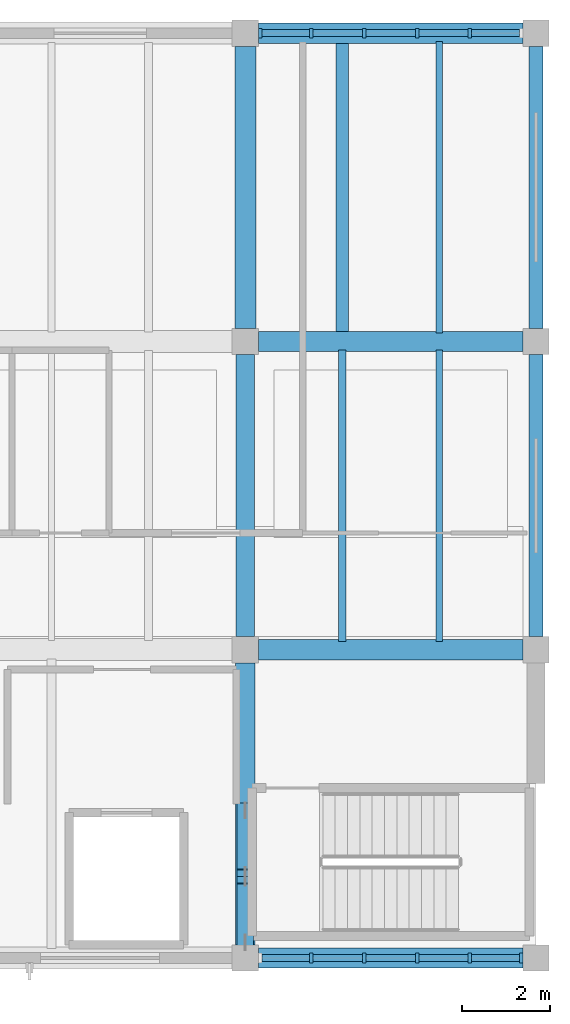
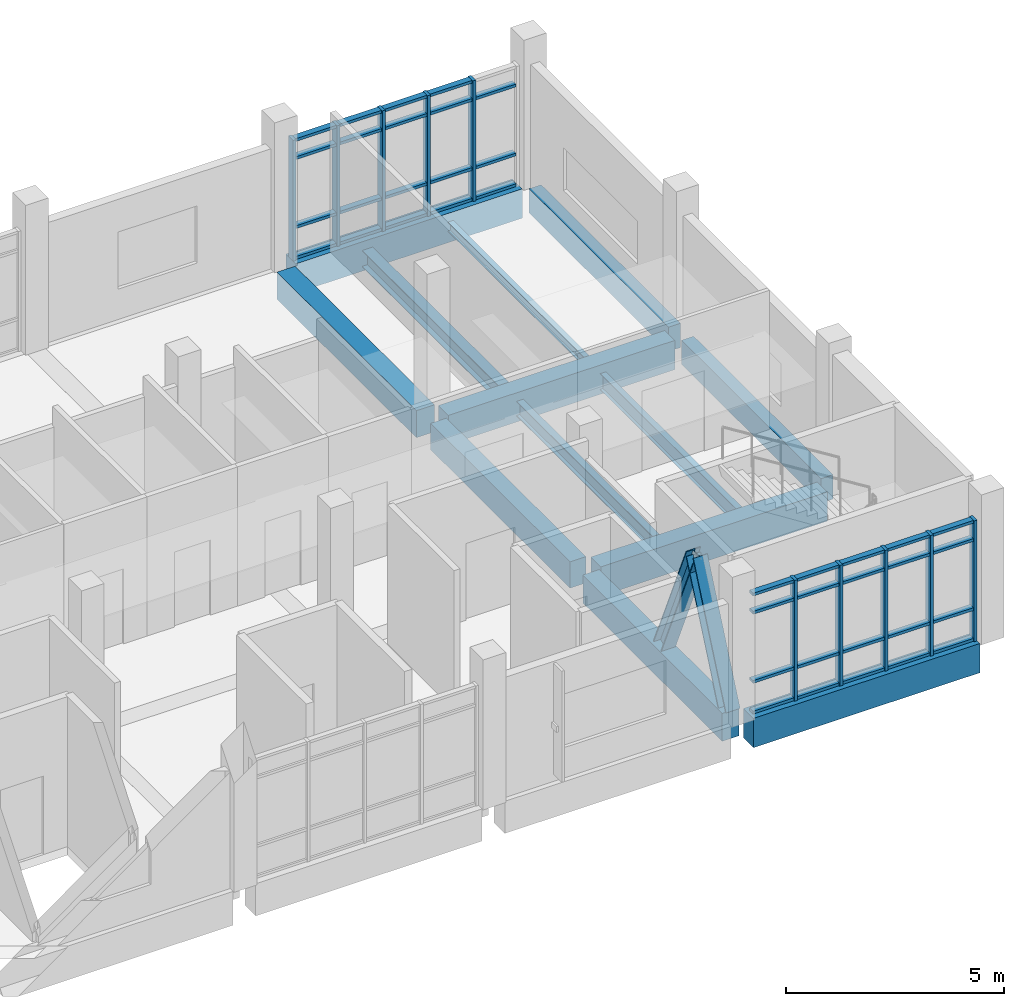
# One storey, part 5 of 14: 51 members, 13 beams, 2 elements without a shape of their own.
"""IFC4 building model written with IfcOpenShell, lengths in metres."""

from ifc_helpers import new_model, si_unit, direction, frame, origin, origin_2d, place, context, subcontext, project, spatial, rectangle, i_section, extrude, material, material_profile, profile_set, type_object, element, aggregate, save


model = new_model("IFC4")

# Units and contexts
model_context = context("Model", 3, precision=1e-05, world=origin(), true_north=direction((0.0, 1.0)))
body_context = subcontext(model_context, "Body", "Model", "MODEL_VIEW")
ifc_project = project(units=[si_unit("LENGTHUNIT", "METRE"), si_unit("AREAUNIT", "SQUARE_METRE"), si_unit("VOLUMEUNIT", "CUBIC_METRE"), si_unit("PLANEANGLEUNIT", "RADIAN"), si_unit("MASSUNIT", "GRAM", prefix="KILO")], contexts=[model_context])

# Site, building, storey
site_placement = place(None, origin())
site = spatial("IfcSite", under=ifc_project, at=site_placement, CompositionType="ELEMENT")
building_placement = place(site_placement, origin())
building = spatial("IfcBuilding", under=site, at=building_placement, Name="Ciguamira Faculty of Natural Sciences", CompositionType="ELEMENT")
storey_placement = place(building_placement, frame((0.0, 0.0, 33.60009765625)))
storey = spatial("IfcBuildingStorey", under=building, at=storey_placement, Name="L08", CompositionType="ELEMENT", Elevation=33.60009765625)

# Curtain wall, members
ifc_material_1 = material(Name="Anodized aluminium curtain wall", Category="aluminium")
curtain_wall_type_1 = type_object("IfcCurtainWallType", Name="CurtainWall_CW-12", PredefinedType="USERDEFINED", material=ifc_material_1)
curtain_wall_1_placement = place(storey_placement, origin())
curtain_wall_1 = element("IfcCurtainWall", 1, at=curtain_wall_1_placement, inside=storey, type_object=curtain_wall_type_1, Name="L08 unitised curtain wall 0156", ObjectType="UNITISED CURTAIN WALL", PredefinedType="USERDEFINED")
ifc_material_2 = material(Name="Anodized aluminium mullion", Category="aluminium")
ifc_material_profile_1 = material_profile(ifc_material_2, rectangle(XDim=0.080078125, YDim=0.219970703125, at=origin_2d()), Name="ALU-MUL-80X220")
ifc_profile_set_1 = profile_set([ifc_material_profile_1], Name="Anodized aluminium mullion")
member_type_1 = type_object("IfcMemberType", Name="CWMullion_CWM-03", PredefinedType="MULLION", material=ifc_profile_set_1)
member_1_placement = place(storey_placement, frame((98.39990234375, 94.0, 0.0), z_axis=(0.0, 0.0, 1.0), x_axis=(1.0, 0.0, 0.0)))
member_1 = element("IfcMember", 2, at=member_1_placement, type_object=member_type_1, Name="CW-12 mullion 2", PredefinedType="MULLION", context=body_context, shape_type="SweptSolid", body=[
    extrude(rectangle(XDim=0.080078125, YDim=0.219970703125, at=origin_2d()), origin(), (0.0, 0.0, 1.0), 3.385009765625),
])
member_2_placement = place(storey_placement, frame((99.60009765625, 94.0, 0.0), z_axis=(0.0, 0.0, 1.0), x_axis=(1.0, 0.0, 0.0)))
member_2 = element("IfcMember", 3, at=member_2_placement, type_object=member_type_1, Name="CW-12 mullion 3", PredefinedType="MULLION", context=body_context, shape_type="SweptSolid", body=[
    extrude(rectangle(XDim=0.080078125, YDim=0.219970703125, at=origin_2d()), origin(), (0.0, 0.0, 1.0), 3.385009765625),
])
member_3_placement = place(storey_placement, frame((100.800048828125, 94.0, 0.0), z_axis=(0.0, 0.0, 1.0), x_axis=(1.0, 0.0, 0.0)))
member_3 = element("IfcMember", 4, at=member_3_placement, type_object=member_type_1, Name="CW-12 mullion 4", PredefinedType="MULLION", context=body_context, shape_type="SweptSolid", body=[
    extrude(rectangle(XDim=0.080078125, YDim=0.219970703125, at=origin_2d()), origin(), (0.0, 0.0, 1.0), 3.385009765625),
])
member_4_placement = place(storey_placement, frame((102.0, 94.0, 0.0), z_axis=(0.0, 0.0, 1.0), x_axis=(1.0, 0.0, 0.0)))
member_4 = element("IfcMember", 5, at=member_4_placement, type_object=member_type_1, Name="CW-12 mullion 5", PredefinedType="MULLION", context=body_context, shape_type="SweptSolid", body=[
    extrude(rectangle(XDim=0.080078125, YDim=0.219970703125, at=origin_2d()), origin(), (0.0, 0.0, 1.0), 3.385009765625),
])
member_5_placement = place(storey_placement, frame((103.159912109375, 94.0, 0.0), z_axis=(0.0, 0.0, 1.0), x_axis=(1.0, 0.0, 0.0)))
member_5 = element("IfcMember", 6, at=member_5_placement, type_object=member_type_1, Name="CW-12 mullion 6", PredefinedType="MULLION", context=body_context, shape_type="SweptSolid", body=[
    extrude(rectangle(XDim=0.080078125, YDim=0.219970703125, at=origin_2d()), origin(), (0.0, 0.0, 1.0), 3.385009765625),
])

curtain_wall_type_2 = type_object("IfcCurtainWallType", Name="CurtainWall_CW-03", PredefinedType="USERDEFINED", material=ifc_material_1)
curtain_wall_2_placement = place(storey_placement, origin())
curtain_wall_2 = element("IfcCurtainWall", 7, at=curtain_wall_2_placement, inside=storey, type_object=curtain_wall_type_2, Name="L08 unitised curtain wall 0159", ObjectType="UNITISED CURTAIN WALL", PredefinedType="USERDEFINED")
member_6_placement = place(storey_placement, frame((97.239990234375, 115.0, 0.0), z_axis=(0.0, 0.0, 1.0), x_axis=(1.0, 0.0, 0.0)))
member_6 = element("IfcMember", 8, at=member_6_placement, type_object=member_type_1, Name="CW-03 mullion 1", PredefinedType="MULLION", context=body_context, shape_type="SweptSolid", body=[
    extrude(rectangle(XDim=0.080078125, YDim=0.219970703125, at=origin_2d()), origin(), (0.0, 0.0, 1.0), 3.385009765625),
])
member_7_placement = place(storey_placement, frame((98.39990234375, 115.0, 0.0), z_axis=(0.0, 0.0, 1.0), x_axis=(1.0, 0.0, 0.0)))
member_7 = element("IfcMember", 9, at=member_7_placement, type_object=member_type_1, Name="CW-03 mullion 2", PredefinedType="MULLION", context=body_context, shape_type="SweptSolid", body=[
    extrude(rectangle(XDim=0.080078125, YDim=0.219970703125, at=origin_2d()), origin(), (0.0, 0.0, 1.0), 3.385009765625),
])
member_8_placement = place(storey_placement, frame((99.60009765625, 115.0, 0.0), z_axis=(0.0, 0.0, 1.0), x_axis=(1.0, 0.0, 0.0)))
member_8 = element("IfcMember", 10, at=member_8_placement, type_object=member_type_1, Name="CW-03 mullion 3", PredefinedType="MULLION", context=body_context, shape_type="SweptSolid", body=[
    extrude(rectangle(XDim=0.080078125, YDim=0.219970703125, at=origin_2d()), origin(), (0.0, 0.0, 1.0), 3.385009765625),
])
member_9_placement = place(storey_placement, frame((100.800048828125, 115.0, 0.0), z_axis=(0.0, 0.0, 1.0), x_axis=(1.0, 0.0, 0.0)))
member_9 = element("IfcMember", 11, at=member_9_placement, type_object=member_type_1, Name="CW-03 mullion 4", PredefinedType="MULLION", context=body_context, shape_type="SweptSolid", body=[
    extrude(rectangle(XDim=0.080078125, YDim=0.219970703125, at=origin_2d()), origin(), (0.0, 0.0, 1.0), 3.385009765625),
])
member_10_placement = place(storey_placement, frame((102.0, 115.0, 0.0), z_axis=(0.0, 0.0, 1.0), x_axis=(1.0, 0.0, 0.0)))
member_10 = element("IfcMember", 12, at=member_10_placement, type_object=member_type_1, Name="CW-03 mullion 5", PredefinedType="MULLION", context=body_context, shape_type="SweptSolid", body=[
    extrude(rectangle(XDim=0.080078125, YDim=0.219970703125, at=origin_2d()), origin(), (0.0, 0.0, 1.0), 3.385009765625),
])

# Member
ifc_material_3 = material(Name="Anodized aluminium transom", Category="aluminium")
ifc_material_profile_2 = material_profile(ifc_material_3, rectangle(XDim=0.080078125, YDim=0.159912109375, at=origin_2d()), Name="ALU-TRN-80X160")
ifc_profile_set_2 = profile_set([ifc_material_profile_2], Name="Anodized aluminium transom")
member_type_2 = type_object("IfcMemberType", Name="CWTransom_CWT-03", PredefinedType="USERDEFINED", material=ifc_profile_set_2)
member_11_placement = place(storey_placement, frame((97.280029296875, 94.0, 0.039794921875), z_axis=(1.0, 0.0, 0.0), x_axis=(0.0, 0.0, 1.0)))
member_11 = element("IfcMember", 13, at=member_11_placement, type_object=member_type_2, Name="CW-12 transom 1.1", ObjectType="TRANSOM", PredefinedType="USERDEFINED", context=body_context, shape_type="SweptSolid", body=[
    extrude(rectangle(XDim=0.080078125, YDim=0.159912109375, at=origin_2d()), origin(), (0.0, 0.0, 1.0), 1.080078125),
])

member_12_placement = place(storey_placement, frame((97.280029296875, 94.0, 0.89990234375), z_axis=(1.0, 0.0, 0.0), x_axis=(0.0, 0.0, 1.0)))
member_12 = element("IfcMember", 14, at=member_12_placement, type_object=member_type_2, Name="CW-12 transom 1.2", ObjectType="TRANSOM", PredefinedType="USERDEFINED", context=body_context, shape_type="SweptSolid", body=[
    extrude(rectangle(XDim=0.080078125, YDim=0.159912109375, at=origin_2d()), origin(), (0.0, 0.0, 1.0), 1.080078125),
])

member_13_placement = place(storey_placement, frame((97.280029296875, 94.0, 2.8349609375), z_axis=(1.0, 0.0, 0.0), x_axis=(0.0, 0.0, 1.0)))
member_13 = element("IfcMember", 15, at=member_13_placement, type_object=member_type_2, Name="CW-12 transom 1.3", ObjectType="TRANSOM", PredefinedType="USERDEFINED", context=body_context, shape_type="SweptSolid", body=[
    extrude(rectangle(XDim=0.080078125, YDim=0.159912109375, at=origin_2d()), origin(), (0.0, 0.0, 1.0), 1.080078125),
])

member_14_placement = place(storey_placement, frame((97.280029296875, 94.0, 3.344970703125), z_axis=(1.0, 0.0, 0.0), x_axis=(0.0, 0.0, 1.0)))
member_14 = element("IfcMember", 16, at=member_14_placement, type_object=member_type_2, Name="CW-12 transom 1.4", ObjectType="TRANSOM", PredefinedType="USERDEFINED", context=body_context, shape_type="SweptSolid", body=[
    extrude(rectangle(XDim=0.080078125, YDim=0.159912109375, at=origin_2d()), origin(), (0.0, 0.0, 1.0), 1.080078125),
])

member_15_placement = place(storey_placement, frame((98.43994140625, 94.0, 0.039794921875), z_axis=(1.0, 0.0, 0.0), x_axis=(0.0, 0.0, 1.0)))
member_15 = element("IfcMember", 17, at=member_15_placement, type_object=member_type_2, Name="CW-12 transom 2.1", ObjectType="TRANSOM", PredefinedType="USERDEFINED", context=body_context, shape_type="SweptSolid", body=[
    extrude(rectangle(XDim=0.080078125, YDim=0.159912109375, at=origin_2d()), origin(), (0.0, 0.0, 1.0), 1.1201171875),
])

member_16_placement = place(storey_placement, frame((98.43994140625, 94.0, 0.89990234375), z_axis=(1.0, 0.0, 0.0), x_axis=(0.0, 0.0, 1.0)))
member_16 = element("IfcMember", 18, at=member_16_placement, type_object=member_type_2, Name="CW-12 transom 2.2", ObjectType="TRANSOM", PredefinedType="USERDEFINED", context=body_context, shape_type="SweptSolid", body=[
    extrude(rectangle(XDim=0.080078125, YDim=0.159912109375, at=origin_2d()), origin(), (0.0, 0.0, 1.0), 1.1201171875),
])

member_17_placement = place(storey_placement, frame((98.43994140625, 94.0, 2.8349609375), z_axis=(1.0, 0.0, 0.0), x_axis=(0.0, 0.0, 1.0)))
member_17 = element("IfcMember", 19, at=member_17_placement, type_object=member_type_2, Name="CW-12 transom 2.3", ObjectType="TRANSOM", PredefinedType="USERDEFINED", context=body_context, shape_type="SweptSolid", body=[
    extrude(rectangle(XDim=0.080078125, YDim=0.159912109375, at=origin_2d()), origin(), (0.0, 0.0, 1.0), 1.1201171875),
])

member_18_placement = place(storey_placement, frame((98.43994140625, 94.0, 3.344970703125), z_axis=(1.0, 0.0, 0.0), x_axis=(0.0, 0.0, 1.0)))
member_18 = element("IfcMember", 20, at=member_18_placement, type_object=member_type_2, Name="CW-12 transom 2.4", ObjectType="TRANSOM", PredefinedType="USERDEFINED", context=body_context, shape_type="SweptSolid", body=[
    extrude(rectangle(XDim=0.080078125, YDim=0.159912109375, at=origin_2d()), origin(), (0.0, 0.0, 1.0), 1.1201171875),
])

member_19_placement = place(storey_placement, frame((99.639892578125, 94.0, 0.039794921875), z_axis=(1.0, 0.0, 0.0), x_axis=(0.0, 0.0, 1.0)))
member_19 = element("IfcMember", 21, at=member_19_placement, type_object=member_type_2, Name="CW-12 transom 3.1", ObjectType="TRANSOM", PredefinedType="USERDEFINED", context=body_context, shape_type="SweptSolid", body=[
    extrude(rectangle(XDim=0.080078125, YDim=0.159912109375, at=origin_2d()), origin(), (0.0, 0.0, 1.0), 1.1201171875),
])

member_20_placement = place(storey_placement, frame((99.639892578125, 94.0, 0.89990234375), z_axis=(1.0, 0.0, 0.0), x_axis=(0.0, 0.0, 1.0)))
member_20 = element("IfcMember", 22, at=member_20_placement, type_object=member_type_2, Name="CW-12 transom 3.2", ObjectType="TRANSOM", PredefinedType="USERDEFINED", context=body_context, shape_type="SweptSolid", body=[
    extrude(rectangle(XDim=0.080078125, YDim=0.159912109375, at=origin_2d()), origin(), (0.0, 0.0, 1.0), 1.1201171875),
])

member_21_placement = place(storey_placement, frame((99.639892578125, 94.0, 2.8349609375), z_axis=(1.0, 0.0, 0.0), x_axis=(0.0, 0.0, 1.0)))
member_21 = element("IfcMember", 23, at=member_21_placement, type_object=member_type_2, Name="CW-12 transom 3.3", ObjectType="TRANSOM", PredefinedType="USERDEFINED", context=body_context, shape_type="SweptSolid", body=[
    extrude(rectangle(XDim=0.080078125, YDim=0.159912109375, at=origin_2d()), origin(), (0.0, 0.0, 1.0), 1.1201171875),
])

member_22_placement = place(storey_placement, frame((99.639892578125, 94.0, 3.344970703125), z_axis=(1.0, 0.0, 0.0), x_axis=(0.0, 0.0, 1.0)))
member_22 = element("IfcMember", 24, at=member_22_placement, type_object=member_type_2, Name="CW-12 transom 3.4", ObjectType="TRANSOM", PredefinedType="USERDEFINED", context=body_context, shape_type="SweptSolid", body=[
    extrude(rectangle(XDim=0.080078125, YDim=0.159912109375, at=origin_2d()), origin(), (0.0, 0.0, 1.0), 1.1201171875),
])

member_23_placement = place(storey_placement, frame((100.840087890625, 94.0, 0.039794921875), z_axis=(1.0, 0.0, 0.0), x_axis=(0.0, 0.0, 1.0)))
member_23 = element("IfcMember", 25, at=member_23_placement, type_object=member_type_2, Name="CW-12 transom 4.1", ObjectType="TRANSOM", PredefinedType="USERDEFINED", context=body_context, shape_type="SweptSolid", body=[
    extrude(rectangle(XDim=0.080078125, YDim=0.159912109375, at=origin_2d()), origin(), (0.0, 0.0, 1.0), 1.119873046875),
])

member_24_placement = place(storey_placement, frame((100.840087890625, 94.0, 0.89990234375), z_axis=(1.0, 0.0, 0.0), x_axis=(0.0, 0.0, 1.0)))
member_24 = element("IfcMember", 26, at=member_24_placement, type_object=member_type_2, Name="CW-12 transom 4.2", ObjectType="TRANSOM", PredefinedType="USERDEFINED", context=body_context, shape_type="SweptSolid", body=[
    extrude(rectangle(XDim=0.080078125, YDim=0.159912109375, at=origin_2d()), origin(), (0.0, 0.0, 1.0), 1.119873046875),
])

member_25_placement = place(storey_placement, frame((100.840087890625, 94.0, 2.8349609375), z_axis=(1.0, 0.0, 0.0), x_axis=(0.0, 0.0, 1.0)))
member_25 = element("IfcMember", 27, at=member_25_placement, type_object=member_type_2, Name="CW-12 transom 4.3", ObjectType="TRANSOM", PredefinedType="USERDEFINED", context=body_context, shape_type="SweptSolid", body=[
    extrude(rectangle(XDim=0.080078125, YDim=0.159912109375, at=origin_2d()), origin(), (0.0, 0.0, 1.0), 1.119873046875),
])

member_26_placement = place(storey_placement, frame((100.840087890625, 94.0, 3.344970703125), z_axis=(1.0, 0.0, 0.0), x_axis=(0.0, 0.0, 1.0)))
member_26 = element("IfcMember", 28, at=member_26_placement, type_object=member_type_2, Name="CW-12 transom 4.4", ObjectType="TRANSOM", PredefinedType="USERDEFINED", context=body_context, shape_type="SweptSolid", body=[
    extrude(rectangle(XDim=0.080078125, YDim=0.159912109375, at=origin_2d()), origin(), (0.0, 0.0, 1.0), 1.119873046875),
])

member_27_placement = place(storey_placement, frame((102.0400390625, 94.0, 0.039794921875), z_axis=(1.0, 0.0, 0.0), x_axis=(0.0, 0.0, 1.0)))
member_27 = element("IfcMember", 29, at=member_27_placement, type_object=member_type_2, Name="CW-12 transom 5.1", ObjectType="TRANSOM", PredefinedType="USERDEFINED", context=body_context, shape_type="SweptSolid", body=[
    extrude(rectangle(XDim=0.080078125, YDim=0.159912109375, at=origin_2d()), origin(), (0.0, 0.0, 1.0), 1.080078125),
])

member_28_placement = place(storey_placement, frame((102.0400390625, 94.0, 0.89990234375), z_axis=(1.0, 0.0, 0.0), x_axis=(0.0, 0.0, 1.0)))
member_28 = element("IfcMember", 30, at=member_28_placement, type_object=member_type_2, Name="CW-12 transom 5.2", ObjectType="TRANSOM", PredefinedType="USERDEFINED", context=body_context, shape_type="SweptSolid", body=[
    extrude(rectangle(XDim=0.080078125, YDim=0.159912109375, at=origin_2d()), origin(), (0.0, 0.0, 1.0), 1.080078125),
])

member_29_placement = place(storey_placement, frame((102.0400390625, 94.0, 2.8349609375), z_axis=(1.0, 0.0, 0.0), x_axis=(0.0, 0.0, 1.0)))
member_29 = element("IfcMember", 31, at=member_29_placement, type_object=member_type_2, Name="CW-12 transom 5.3", ObjectType="TRANSOM", PredefinedType="USERDEFINED", context=body_context, shape_type="SweptSolid", body=[
    extrude(rectangle(XDim=0.080078125, YDim=0.159912109375, at=origin_2d()), origin(), (0.0, 0.0, 1.0), 1.080078125),
])

member_30_placement = place(storey_placement, frame((102.0400390625, 94.0, 3.344970703125), z_axis=(1.0, 0.0, 0.0), x_axis=(0.0, 0.0, 1.0)))
member_30 = element("IfcMember", 32, at=member_30_placement, type_object=member_type_2, Name="CW-12 transom 5.4", ObjectType="TRANSOM", PredefinedType="USERDEFINED", context=body_context, shape_type="SweptSolid", body=[
    extrude(rectangle(XDim=0.080078125, YDim=0.159912109375, at=origin_2d()), origin(), (0.0, 0.0, 1.0), 1.080078125),
])

aggregate(curtain_wall_1, [member_1, member_2, member_3, member_4, member_5, member_11, member_12, member_13, member_14, member_15, member_16, member_17, member_18, member_19, member_20, member_21, member_22, member_23, member_24, member_25, member_26, member_27, member_28, member_29, member_30])

member_31_placement = place(storey_placement, frame((97.280029296875, 115.0, 0.039794921875), z_axis=(1.0, 0.0, 0.0), x_axis=(0.0, 0.0, 1.0)))
member_31 = element("IfcMember", 33, at=member_31_placement, type_object=member_type_2, Name="CW-03 transom 1.1", ObjectType="TRANSOM", PredefinedType="USERDEFINED", context=body_context, shape_type="SweptSolid", body=[
    extrude(rectangle(XDim=0.080078125, YDim=0.159912109375, at=origin_2d()), origin(), (0.0, 0.0, 1.0), 1.080078125),
])

member_32_placement = place(storey_placement, frame((97.280029296875, 115.0, 0.89990234375), z_axis=(1.0, 0.0, 0.0), x_axis=(0.0, 0.0, 1.0)))
member_32 = element("IfcMember", 34, at=member_32_placement, type_object=member_type_2, Name="CW-03 transom 1.2", ObjectType="TRANSOM", PredefinedType="USERDEFINED", context=body_context, shape_type="SweptSolid", body=[
    extrude(rectangle(XDim=0.080078125, YDim=0.159912109375, at=origin_2d()), origin(), (0.0, 0.0, 1.0), 1.080078125),
])

member_33_placement = place(storey_placement, frame((97.280029296875, 115.0, 2.8349609375), z_axis=(1.0, 0.0, 0.0), x_axis=(0.0, 0.0, 1.0)))
member_33 = element("IfcMember", 35, at=member_33_placement, type_object=member_type_2, Name="CW-03 transom 1.3", ObjectType="TRANSOM", PredefinedType="USERDEFINED", context=body_context, shape_type="SweptSolid", body=[
    extrude(rectangle(XDim=0.080078125, YDim=0.159912109375, at=origin_2d()), origin(), (0.0, 0.0, 1.0), 1.080078125),
])

member_34_placement = place(storey_placement, frame((97.280029296875, 115.0, 3.344970703125), z_axis=(1.0, 0.0, 0.0), x_axis=(0.0, 0.0, 1.0)))
member_34 = element("IfcMember", 36, at=member_34_placement, type_object=member_type_2, Name="CW-03 transom 1.4", ObjectType="TRANSOM", PredefinedType="USERDEFINED", context=body_context, shape_type="SweptSolid", body=[
    extrude(rectangle(XDim=0.080078125, YDim=0.159912109375, at=origin_2d()), origin(), (0.0, 0.0, 1.0), 1.080078125),
])

member_35_placement = place(storey_placement, frame((98.43994140625, 115.0, 0.039794921875), z_axis=(1.0, 0.0, 0.0), x_axis=(0.0, 0.0, 1.0)))
member_35 = element("IfcMember", 37, at=member_35_placement, type_object=member_type_2, Name="CW-03 transom 2.1", ObjectType="TRANSOM", PredefinedType="USERDEFINED", context=body_context, shape_type="SweptSolid", body=[
    extrude(rectangle(XDim=0.080078125, YDim=0.159912109375, at=origin_2d()), origin(), (0.0, 0.0, 1.0), 1.1201171875),
])

member_36_placement = place(storey_placement, frame((98.43994140625, 115.0, 0.89990234375), z_axis=(1.0, 0.0, 0.0), x_axis=(0.0, 0.0, 1.0)))
member_36 = element("IfcMember", 38, at=member_36_placement, type_object=member_type_2, Name="CW-03 transom 2.2", ObjectType="TRANSOM", PredefinedType="USERDEFINED", context=body_context, shape_type="SweptSolid", body=[
    extrude(rectangle(XDim=0.080078125, YDim=0.159912109375, at=origin_2d()), origin(), (0.0, 0.0, 1.0), 1.1201171875),
])

member_37_placement = place(storey_placement, frame((98.43994140625, 115.0, 2.8349609375), z_axis=(1.0, 0.0, 0.0), x_axis=(0.0, 0.0, 1.0)))
member_37 = element("IfcMember", 39, at=member_37_placement, type_object=member_type_2, Name="CW-03 transom 2.3", ObjectType="TRANSOM", PredefinedType="USERDEFINED", context=body_context, shape_type="SweptSolid", body=[
    extrude(rectangle(XDim=0.080078125, YDim=0.159912109375, at=origin_2d()), origin(), (0.0, 0.0, 1.0), 1.1201171875),
])

member_38_placement = place(storey_placement, frame((98.43994140625, 115.0, 3.344970703125), z_axis=(1.0, 0.0, 0.0), x_axis=(0.0, 0.0, 1.0)))
member_38 = element("IfcMember", 40, at=member_38_placement, type_object=member_type_2, Name="CW-03 transom 2.4", ObjectType="TRANSOM", PredefinedType="USERDEFINED", context=body_context, shape_type="SweptSolid", body=[
    extrude(rectangle(XDim=0.080078125, YDim=0.159912109375, at=origin_2d()), origin(), (0.0, 0.0, 1.0), 1.1201171875),
])

member_39_placement = place(storey_placement, frame((99.639892578125, 115.0, 0.039794921875), z_axis=(1.0, 0.0, 0.0), x_axis=(0.0, 0.0, 1.0)))
member_39 = element("IfcMember", 41, at=member_39_placement, type_object=member_type_2, Name="CW-03 transom 3.1", ObjectType="TRANSOM", PredefinedType="USERDEFINED", context=body_context, shape_type="SweptSolid", body=[
    extrude(rectangle(XDim=0.080078125, YDim=0.159912109375, at=origin_2d()), origin(), (0.0, 0.0, 1.0), 1.1201171875),
])

member_40_placement = place(storey_placement, frame((99.639892578125, 115.0, 0.89990234375), z_axis=(1.0, 0.0, 0.0), x_axis=(0.0, 0.0, 1.0)))
member_40 = element("IfcMember", 42, at=member_40_placement, type_object=member_type_2, Name="CW-03 transom 3.2", ObjectType="TRANSOM", PredefinedType="USERDEFINED", context=body_context, shape_type="SweptSolid", body=[
    extrude(rectangle(XDim=0.080078125, YDim=0.159912109375, at=origin_2d()), origin(), (0.0, 0.0, 1.0), 1.1201171875),
])

member_41_placement = place(storey_placement, frame((99.639892578125, 115.0, 2.8349609375), z_axis=(1.0, 0.0, 0.0), x_axis=(0.0, 0.0, 1.0)))
member_41 = element("IfcMember", 43, at=member_41_placement, type_object=member_type_2, Name="CW-03 transom 3.3", ObjectType="TRANSOM", PredefinedType="USERDEFINED", context=body_context, shape_type="SweptSolid", body=[
    extrude(rectangle(XDim=0.080078125, YDim=0.159912109375, at=origin_2d()), origin(), (0.0, 0.0, 1.0), 1.1201171875),
])

member_42_placement = place(storey_placement, frame((99.639892578125, 115.0, 3.344970703125), z_axis=(1.0, 0.0, 0.0), x_axis=(0.0, 0.0, 1.0)))
member_42 = element("IfcMember", 44, at=member_42_placement, type_object=member_type_2, Name="CW-03 transom 3.4", ObjectType="TRANSOM", PredefinedType="USERDEFINED", context=body_context, shape_type="SweptSolid", body=[
    extrude(rectangle(XDim=0.080078125, YDim=0.159912109375, at=origin_2d()), origin(), (0.0, 0.0, 1.0), 1.1201171875),
])

member_43_placement = place(storey_placement, frame((100.840087890625, 115.0, 0.039794921875), z_axis=(1.0, 0.0, 0.0), x_axis=(0.0, 0.0, 1.0)))
member_43 = element("IfcMember", 45, at=member_43_placement, type_object=member_type_2, Name="CW-03 transom 4.1", ObjectType="TRANSOM", PredefinedType="USERDEFINED", context=body_context, shape_type="SweptSolid", body=[
    extrude(rectangle(XDim=0.080078125, YDim=0.159912109375, at=origin_2d()), origin(), (0.0, 0.0, 1.0), 1.119873046875),
])

member_44_placement = place(storey_placement, frame((100.840087890625, 115.0, 0.89990234375), z_axis=(1.0, 0.0, 0.0), x_axis=(0.0, 0.0, 1.0)))
member_44 = element("IfcMember", 46, at=member_44_placement, type_object=member_type_2, Name="CW-03 transom 4.2", ObjectType="TRANSOM", PredefinedType="USERDEFINED", context=body_context, shape_type="SweptSolid", body=[
    extrude(rectangle(XDim=0.080078125, YDim=0.159912109375, at=origin_2d()), origin(), (0.0, 0.0, 1.0), 1.119873046875),
])

member_45_placement = place(storey_placement, frame((100.840087890625, 115.0, 2.8349609375), z_axis=(1.0, 0.0, 0.0), x_axis=(0.0, 0.0, 1.0)))
member_45 = element("IfcMember", 47, at=member_45_placement, type_object=member_type_2, Name="CW-03 transom 4.3", ObjectType="TRANSOM", PredefinedType="USERDEFINED", context=body_context, shape_type="SweptSolid", body=[
    extrude(rectangle(XDim=0.080078125, YDim=0.159912109375, at=origin_2d()), origin(), (0.0, 0.0, 1.0), 1.119873046875),
])

member_46_placement = place(storey_placement, frame((100.840087890625, 115.0, 3.344970703125), z_axis=(1.0, 0.0, 0.0), x_axis=(0.0, 0.0, 1.0)))
member_46 = element("IfcMember", 48, at=member_46_placement, type_object=member_type_2, Name="CW-03 transom 4.4", ObjectType="TRANSOM", PredefinedType="USERDEFINED", context=body_context, shape_type="SweptSolid", body=[
    extrude(rectangle(XDim=0.080078125, YDim=0.159912109375, at=origin_2d()), origin(), (0.0, 0.0, 1.0), 1.119873046875),
])

member_47_placement = place(storey_placement, frame((102.0400390625, 115.0, 0.039794921875), z_axis=(1.0, 0.0, 0.0), x_axis=(0.0, 0.0, 1.0)))
member_47 = element("IfcMember", 49, at=member_47_placement, type_object=member_type_2, Name="CW-03 transom 5.1", ObjectType="TRANSOM", PredefinedType="USERDEFINED", context=body_context, shape_type="SweptSolid", body=[
    extrude(rectangle(XDim=0.080078125, YDim=0.159912109375, at=origin_2d()), origin(), (0.0, 0.0, 1.0), 1.080078125),
])

member_48_placement = place(storey_placement, frame((102.0400390625, 115.0, 0.89990234375), z_axis=(1.0, 0.0, 0.0), x_axis=(0.0, 0.0, 1.0)))
member_48 = element("IfcMember", 50, at=member_48_placement, type_object=member_type_2, Name="CW-03 transom 5.2", ObjectType="TRANSOM", PredefinedType="USERDEFINED", context=body_context, shape_type="SweptSolid", body=[
    extrude(rectangle(XDim=0.080078125, YDim=0.159912109375, at=origin_2d()), origin(), (0.0, 0.0, 1.0), 1.080078125),
])

member_49_placement = place(storey_placement, frame((102.0400390625, 115.0, 2.8349609375), z_axis=(1.0, 0.0, 0.0), x_axis=(0.0, 0.0, 1.0)))
member_49 = element("IfcMember", 51, at=member_49_placement, type_object=member_type_2, Name="CW-03 transom 5.3", ObjectType="TRANSOM", PredefinedType="USERDEFINED", context=body_context, shape_type="SweptSolid", body=[
    extrude(rectangle(XDim=0.080078125, YDim=0.159912109375, at=origin_2d()), origin(), (0.0, 0.0, 1.0), 1.080078125),
])

aggregate(curtain_wall_2, [member_6, member_7, member_8, member_9, member_10, member_31, member_32, member_33, member_34, member_35, member_36, member_37, member_38, member_39, member_40, member_41, member_42, member_43, member_44, member_45, member_46, member_47, member_48, member_49])

# Beams
ifc_material_4 = material(Name="Concrete C40/50", Category="concrete")
ifc_material_profile_3 = material_profile(ifc_material_4, rectangle(XDim=0.4599609375, YDim=0.820068359375, at=origin_2d()), Name="RC-BM-460X820")
ifc_profile_set_3 = profile_set([ifc_material_profile_3], Name="Concrete C40/50")
beam_type_1 = type_object("IfcBeamType", Name="RCBeam_BG-04_RC-BM-460X820", PredefinedType="BEAM", material=ifc_profile_set_3)
for number, where, z_axis, x_axis, name in (
    (52, (97.199951171875, 94.0, -0.41015625), (1.0, 0.0, 0.0), (0.0, 1.0, 0.0), "L08 RC girder EW-1597"),
    (53, (97.199951171875, 101.0, -0.41015625), (1.0, 0.0, 0.0), (0.0, 1.0, 0.0), "L08 RC girder EW-1603"),
    (54, (97.199951171875, 108.0, -0.41015625), (1.0, 0.0, 0.0), (0.0, 1.0, 0.0), "L08 RC girder EW-1609"),
    (55, (97.199951171875, 115.0, -0.41015625), (1.0, 0.0, 0.0), (0.0, 1.0, 0.0), "L08 RC girder EW-1615"),
):
    element("IfcBeam", number, at=place(storey_placement, frame(where, z_axis=z_axis, x_axis=x_axis)), inside=storey, type_object=beam_type_1, Name=name, PredefinedType="BEAM", context=body_context, shape_type="SweptSolid", body=[
        extrude(rectangle(XDim=0.4599609375, YDim=0.820068359375, at=origin_2d()), origin(), (0.0, 0.0, 1.0), 6.0),
    ])
ifc_material_profile_4 = material_profile(ifc_material_4, rectangle(XDim=0.43994140625, YDim=0.780029296875, at=origin_2d()), Name="RC-BM-440X780")
ifc_profile_set_4 = profile_set([ifc_material_profile_4], Name="Concrete C40/50")
beam_type_2 = type_object("IfcBeamType", Name="RCBeam_BG-06_RC-BM-440X780", PredefinedType="BEAM", material=ifc_profile_set_4)
beam_1_placement = place(storey_placement, frame((96.89990234375, 94.300048828125, -0.39013671875), z_axis=(0.0, 1.0, 0.0), x_axis=(-1.0, 0.0, 0.0)))
element("IfcBeam", 56, at=beam_1_placement, inside=storey, type_object=beam_type_2, Name="L08 core-end brace tie girder 96", PredefinedType="BEAM", context=body_context, shape_type="SweptSolid", body=[
    extrude(rectangle(XDim=0.43994140625, YDim=0.780029296875, at=origin_2d()), origin(), (0.0, 0.0, 1.0), 6.39990234375),
])
ifc_material_profile_5 = material_profile(ifc_material_4, rectangle(XDim=0.419921875, YDim=0.739990234375, at=origin_2d()), Name="RC-BM-420X740")
ifc_profile_set_5 = profile_set([ifc_material_profile_5], Name="Concrete C40/50")
beam_type_3 = type_object("IfcBeamType", Name="RCBeam_BG-07_RC-BM-420X740", PredefinedType="BEAM", material=ifc_profile_set_5)
beam_2_placement = place(storey_placement, frame((96.89990234375, 101.300048828125, -0.3701171875), z_axis=(0.0, 1.0, 0.0), x_axis=(-1.0, 0.0, 0.0)))
element("IfcBeam", 57, at=beam_2_placement, inside=storey, type_object=beam_type_3, Name="L08 girder NS-1629", PredefinedType="BEAM", context=body_context, shape_type="SweptSolid", body=[
    extrude(rectangle(XDim=0.419921875, YDim=0.739990234375, at=origin_2d()), origin(), (0.0, 0.0, 1.0), 6.39990234375),
])
ifc_material_5 = material(Name="Precast concrete C40/50", Category="concrete")
ifc_material_profile_6 = material_profile(ifc_material_5, rectangle(XDim=0.320068359375, YDim=0.679931640625, at=origin_2d()), Name="RC-SP-320X680")
ifc_profile_set_6 = profile_set([ifc_material_profile_6], Name="Precast concrete C40/50")
beam_type_4 = type_object("IfcBeamType", Name="RCBeam_SP-02_RC-SP-320X680", PredefinedType="SPANDREL", material=ifc_profile_set_6)
for number, where, z_axis, x_axis, name in (
    (58, (103.5, 101.300048828125, -0.340087890625), (0.0, 1.0, 0.0), (-1.0, 0.0, 0.0), "L08 girder NS-1631"),
    (59, (103.5, 108.300048828125, -0.340087890625), (0.0, 1.0, 0.0), (-1.0, 0.0, 0.0), "L08 girder NS-1632"),
):
    element("IfcBeam", number, at=place(storey_placement, frame(where, z_axis=z_axis, x_axis=x_axis)), inside=storey, type_object=beam_type_4, Name=name, PredefinedType="SPANDREL", context=body_context, shape_type="SweptSolid", body=[
        extrude(rectangle(XDim=0.320068359375, YDim=0.679931640625, at=origin_2d()), origin(), (0.0, 0.0, 1.0), 6.39990234375),
    ])
ifc_material_profile_7 = material_profile(ifc_material_4, rectangle(XDim=0.47998046875, YDim=0.760009765625, at=origin_2d()), Name="RC-TB-480X760")
ifc_profile_set_7 = profile_set([ifc_material_profile_7], Name="Concrete C40/50")
beam_type_5 = type_object("IfcBeamType", Name="RCBeam_TB-01_RC-TB-480X760", PredefinedType="T_BEAM", material=ifc_profile_set_7)
beam_3_placement = place(storey_placement, frame((96.89990234375, 108.300048828125, -0.380126953125), z_axis=(0.0, 1.0, 0.0), x_axis=(-1.0, 0.0, 0.0)))
element("IfcBeam", 60, at=beam_3_placement, inside=storey, type_object=beam_type_5, Name="L08 girder NS-1630", PredefinedType="T_BEAM", context=body_context, shape_type="SweptSolid", body=[
    extrude(rectangle(XDim=0.47998046875, YDim=0.760009765625, at=origin_2d()), origin(), (0.0, 0.0, 1.0), 6.39990234375),
])
ifc_material_6 = material(Name="Steel ASTM A992 Grade 50", Category="steel")
ifc_material_profile_8 = material_profile(ifc_material_6, i_section(OverallWidth=0.14599609375, OverallDepth=0.259033203125, WebThickness=0.006103515625, FlangeThickness=0.009033203125, at=origin_2d()), Name="W10X22")
ifc_profile_set_8 = profile_set([ifc_material_profile_8], Name="Steel ASTM A992 Grade 50")
beam_type_6 = type_object("IfcBeamType", Name="SteelJoist_SJ-01_W10X22", PredefinedType="JOIST", material=ifc_profile_set_8)
beam_4_placement = place(storey_placement, frame((101.300048828125, 108.18994140625, -0.36962890625), z_axis=(0.0, 1.0, 0.0), x_axis=(-1.0, 0.0, 0.0)))
element("IfcBeam", 61, at=beam_4_placement, inside=storey, type_object=beam_type_6, Name="L08 composite steel joist 01477", PredefinedType="JOIST", context=body_context, shape_type="SweptSolid", body=[
    extrude(i_section(OverallWidth=0.14599609375, OverallDepth=0.259033203125, WebThickness=0.006103515625, FlangeThickness=0.009033203125, at=origin_2d()), origin(), (0.0, 0.0, 1.0), 6.6201171875),
])
ifc_material_profile_9 = material_profile(ifc_material_6, i_section(OverallWidth=0.180908203125, OverallDepth=0.41650390625, WebThickness=0.010986328125, FlangeThickness=0.01806640625, at=origin_2d()), Name="W16X57")
ifc_profile_set_9 = profile_set([ifc_material_profile_9], Name="Steel ASTM A992 Grade 50")
beam_type_7 = type_object("IfcBeamType", Name="SteelJoist_SJ-20_W16X57", PredefinedType="JOIST", material=ifc_profile_set_9)
beam_5_placement = place(storey_placement, frame((99.10009765625, 101.18994140625, -0.448486328125), z_axis=(0.0, 1.0, 0.0), x_axis=(-1.0, 0.0, 0.0)))
element("IfcBeam", 62, at=beam_5_placement, inside=storey, type_object=beam_type_7, Name="L08 composite steel joist 01474", PredefinedType="JOIST", context=body_context, shape_type="SweptSolid", body=[
    extrude(i_section(OverallWidth=0.180908203125, OverallDepth=0.41650390625, WebThickness=0.010986328125, FlangeThickness=0.01806640625, at=origin_2d()), origin(), (0.0, 0.0, 1.0), 6.6201171875),
])
ifc_material_profile_10 = material_profile(ifc_material_6, i_section(OverallWidth=0.15234375, OverallDepth=0.449462890625, WebThickness=0.007568359375, FlangeThickness=0.0107421875, at=origin_2d()), Name="W18X35")
ifc_profile_set_10 = profile_set([ifc_material_profile_10], Name="Steel ASTM A992 Grade 50")
beam_type_8 = type_object("IfcBeamType", Name="SteelJoist_SJ-21_W18X35", PredefinedType="JOIST", material=ifc_profile_set_10)
beam_6_placement = place(storey_placement, frame((101.300048828125, 101.18994140625, -0.46484375), z_axis=(0.0, 1.0, 0.0), x_axis=(-1.0, 0.0, 0.0)))
element("IfcBeam", 63, at=beam_6_placement, inside=storey, type_object=beam_type_8, Name="L08 composite steel joist 01475", PredefinedType="JOIST", context=body_context, shape_type="SweptSolid", body=[
    extrude(i_section(OverallWidth=0.15234375, OverallDepth=0.449462890625, WebThickness=0.007568359375, FlangeThickness=0.0107421875, at=origin_2d()), origin(), (0.0, 0.0, 1.0), 6.6201171875),
])
ifc_material_profile_11 = material_profile(ifc_material_6, i_section(OverallWidth=0.279296875, OverallDepth=0.462158203125, WebThickness=0.0107421875, FlangeThickness=0.017333984375, at=origin_2d()), Name="W18X76")
ifc_profile_set_11 = profile_set([ifc_material_profile_11], Name="Steel ASTM A992 Grade 50")
beam_type_9 = type_object("IfcBeamType", Name="SteelJoist_SJ-25_W18X76", PredefinedType="JOIST", material=ifc_profile_set_11)
beam_7_placement = place(storey_placement, frame((99.10009765625, 108.18994140625, -0.47119140625), z_axis=(0.0, 1.0, 0.0), x_axis=(-1.0, 0.0, 0.0)))
element("IfcBeam", 64, at=beam_7_placement, inside=storey, type_object=beam_type_9, Name="L08 composite steel joist 01476", PredefinedType="JOIST", context=body_context, shape_type="SweptSolid", body=[
    extrude(i_section(OverallWidth=0.279296875, OverallDepth=0.462158203125, WebThickness=0.0107421875, FlangeThickness=0.017333984375, at=origin_2d()), origin(), (0.0, 0.0, 1.0), 6.6201171875),
])

# Members
ifc_material_profile_12 = material_profile(ifc_material_6, i_section(OverallWidth=0.373291015625, OverallDepth=0.373291015625, WebThickness=0.016357421875, FlangeThickness=0.026123046875, at=origin_2d()), Name="W14X132")
ifc_profile_set_12 = profile_set([ifc_material_profile_12], Name="Steel ASTM A992 Grade 50")
member_type_3 = type_object("IfcMemberType", Name="SteelMember_BR-03_W14X132", PredefinedType="BRACE", material=ifc_profile_set_12)
for number, where, z_axis, x_axis, name in (
    (65, (96.89990234375, 94.35009765625, 0.0), (0.0, 0.401669190317, 0.915784833653), (-1.0, 0.0, 0.0), "L08 lateral chevron brace 039"),
    (66, (96.89990234375, 97.35009765625, 0.0), (0.0, -0.401669190317, 0.915784833653), (1.0, 0.0, 0.0), "L08 lateral chevron brace 040"),
):
    element("IfcMember", number, at=place(storey_placement, frame(where, z_axis=z_axis, x_axis=x_axis)), inside=storey, type_object=member_type_3, Name=name, PredefinedType="BRACE", context=body_context, shape_type="SweptSolid", body=[
        extrude(i_section(OverallWidth=0.373291015625, OverallDepth=0.373291015625, WebThickness=0.016357421875, FlangeThickness=0.026123046875, at=origin_2d()), origin(), (0.0, 0.0, 1.0), 3.734375),
    ])

save(model, "model.ifc")
